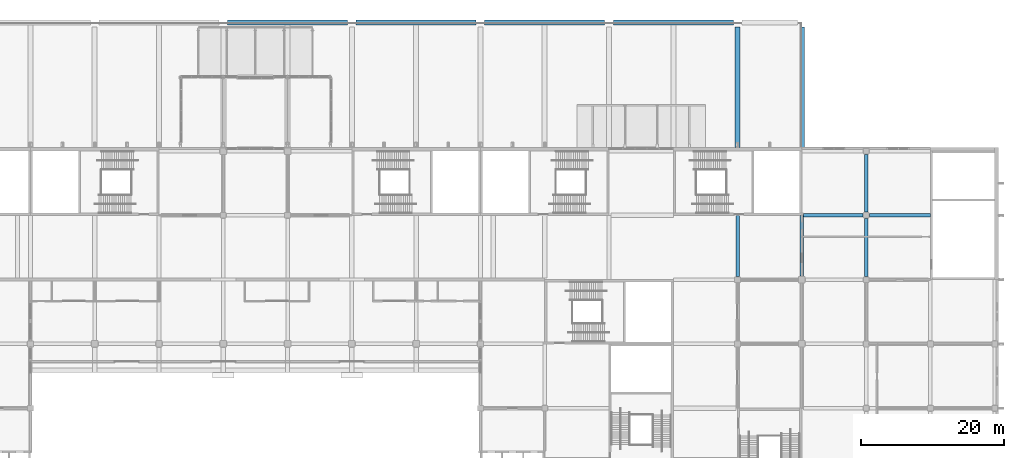
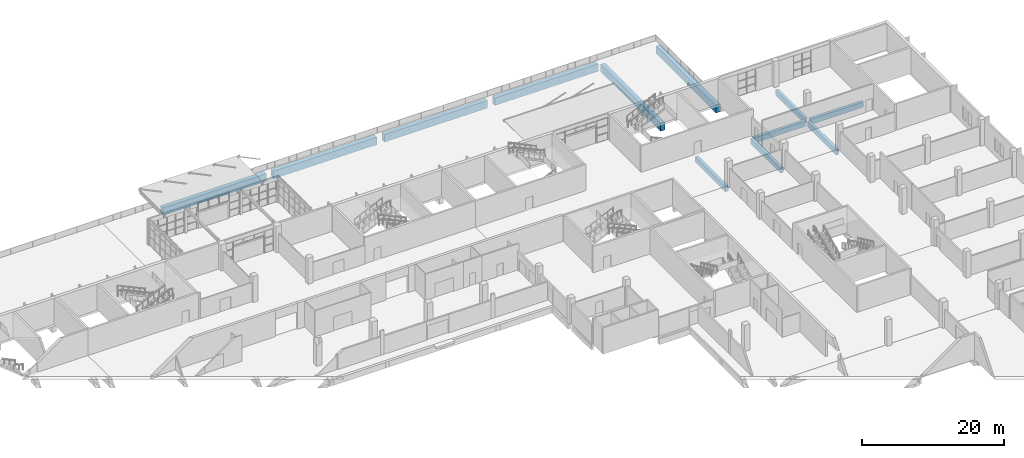
# One storey, part 65 of 168: 12 beams.
"""IFC4 building model written with IfcOpenShell, lengths in metres."""

from ifc_helpers import new_model, si_unit, direction, frame, origin, origin_2d, place, context, subcontext, project, spatial, rectangle, extrude, material, material_profile, profile_set, type_object, element, save


model = new_model("IFC4")

# Units and contexts
model_context = context("Model", 3, precision=1e-05, world=origin(), true_north=direction((0.0, 1.0)))
body_context = subcontext(model_context, "Body", "Model", "MODEL_VIEW")
ifc_project = project(units=[si_unit("LENGTHUNIT", "METRE"), si_unit("AREAUNIT", "SQUARE_METRE"), si_unit("VOLUMEUNIT", "CUBIC_METRE"), si_unit("PLANEANGLEUNIT", "RADIAN"), si_unit("MASSUNIT", "GRAM", prefix="KILO")], contexts=[model_context])

# Site, building, storey
site_placement = place(None, origin())
site = spatial("IfcSite", under=ifc_project, at=site_placement, CompositionType="ELEMENT")
building_placement = place(site_placement, origin())
building = spatial("IfcBuilding", under=site, at=building_placement, Name="Silverbay Arena", CompositionType="ELEMENT")
storey_placement = place(building_placement, frame((0.0, 0.0, 7.0)))
storey = spatial("IfcBuildingStorey", under=building, at=storey_placement, Name="L01", CompositionType="ELEMENT", Elevation=7.0)

# Beams
ifc_material_1 = material(Name="Concrete Grade C45", Category="concrete")
ifc_material_profile_1 = material_profile(ifc_material_1, rectangle(XDim=0.5, YDim=0.89990234375, at=origin_2d()), Name="RC 500x900")
ifc_profile_set_1 = profile_set([ifc_material_profile_1], Name="Concrete Grade C45")
beam_type_1 = type_object("IfcBeamType", Name="RC beam 500x900", PredefinedType="BEAM", material=ifc_profile_set_1)
beam_1_placement = place(storey_placement, frame((207.25, 135.0, -0.800048828125), z_axis=(1.0, 0.0, 0.0), x_axis=(0.0, 1.0, 0.0)))
element("IfcBeam", 1, at=beam_1_placement, inside=storey, type_object=beam_type_1, Name="Floor beam L01 170", PredefinedType="BEAM", context=body_context, shape_type="SweptSolid", body=[
    extrude(rectangle(XDim=0.5, YDim=0.89990234375, at=origin_2d()), origin(), (0.0, 0.0, 1.0), 8.300048828125),
])
for number, where, z_axis, x_axis, name in (
    (2, (216.449951171875, 135.0, -0.800048828125), (1.0, 0.0, 0.0), (0.0, 1.0, 0.0), "Floor beam L01 171"),
    (3, (198.0, 126.449951171875, -0.800048828125), (0.0, 1.0, 0.0), (-1.0, 0.0, 0.0), "Floor beam L01 322"),
):
    element("IfcBeam", number, at=place(storey_placement, frame(where, z_axis=z_axis, x_axis=x_axis)), inside=storey, type_object=beam_type_1, Name=name, PredefinedType="BEAM", context=body_context, shape_type="SweptSolid", body=[
        extrude(rectangle(XDim=0.5, YDim=0.89990234375, at=origin_2d()), origin(), (0.0, 0.0, 1.0), 8.550048828125),
    ])
beam_2_placement = place(storey_placement, frame((207.0, 126.5, -0.800048828125), z_axis=(0.0, 1.0, 0.0), x_axis=(-1.0, 0.0, 0.0)))
element("IfcBeam", 4, at=beam_2_placement, inside=storey, type_object=beam_type_1, Name="Floor beam L01 330", PredefinedType="BEAM", context=body_context, shape_type="SweptSolid", body=[
    extrude(rectangle(XDim=0.5, YDim=0.89990234375, at=origin_2d()), origin(), (0.0, 0.0, 1.0), 8.5),
])
for number, where, z_axis, x_axis, name in (
    (5, (216.0, 126.449951171875, -0.800048828125), (0.0, 1.0, 0.0), (-1.0, 0.0, 0.0), "Floor beam L01 343"),
    (6, (216.0, 135.449951171875, -0.800048828125), (0.0, 1.0, 0.0), (-1.0, 0.0, 0.0), "Floor beam L01 344"),
):
    element("IfcBeam", number, at=place(storey_placement, frame(where, z_axis=z_axis, x_axis=x_axis)), inside=storey, type_object=beam_type_1, Name=name, PredefinedType="BEAM", context=body_context, shape_type="SweptSolid", body=[
        extrude(rectangle(XDim=0.5, YDim=0.89990234375, at=origin_2d()), origin(), (0.0, 0.0, 1.0), 8.10009765625),
    ])
ifc_material_2 = material(Name="Concrete Grade C45", Category="concrete")
ifc_material_profile_2 = material_profile(ifc_material_2, rectangle(XDim=0.699951171875, YDim=1.300048828125, at=origin_2d()), Name="RC 700x1300")
ifc_profile_set_2 = profile_set([ifc_material_profile_2], Name="Concrete Grade C45")
beam_type_2 = type_object("IfcBeamType", Name="RC girder 700x1300", PredefinedType="BEAM", material=ifc_profile_set_2)
for number, where, z_axis, x_axis, name in (
    (7, (198.0, 144.5, -1.10009765625), (0.0, 1.0, 0.0), (-1.0, 0.0, 0.0), "Deck secondary beam 136"),
    (8, (207.0, 144.5, -1.10009765625), (0.0, 1.0, 0.0), (-1.0, 0.0, 0.0), "Deck secondary beam 138"),
):
    element("IfcBeam", number, at=place(storey_placement, frame(where, z_axis=z_axis, x_axis=x_axis)), inside=storey, type_object=beam_type_2, Name=name, PredefinedType="BEAM", context=body_context, shape_type="SweptSolid", body=[
        extrude(rectangle(XDim=0.699951171875, YDim=1.300048828125, at=origin_2d()), origin(), (0.0, 0.0, 1.0), 16.89990234375),
    ])
for number, where, z_axis, x_axis, name in (
    (9, (126.60009765625, 162.0, -1.10009765625), (1.0, 0.0, 0.0), (0.0, 1.0, 0.0), "Deck girder 139"),
    (10, (144.60009765625, 162.0, -1.10009765625), (1.0, 0.0, 0.0), (0.0, 1.0, 0.0), "Deck girder 139"),
    (11, (162.60009765625, 162.0, -1.10009765625), (1.0, 0.0, 0.0), (0.0, 1.0, 0.0), "Deck girder 139"),
    (12, (180.60009765625, 162.0, -1.10009765625), (1.0, 0.0, 0.0), (0.0, 1.0, 0.0), "Deck girder 139"),
):
    element("IfcBeam", number, at=place(storey_placement, frame(where, z_axis=z_axis, x_axis=x_axis)), inside=storey, type_object=beam_type_2, Name=name, PredefinedType="BEAM", context=body_context, shape_type="SweptSolid", body=[
        extrude(rectangle(XDim=0.699951171875, YDim=1.300048828125, at=origin_2d()), origin(), (0.0, 0.0, 1.0), 16.7998046875),
    ])

save(model, "model.ifc")
